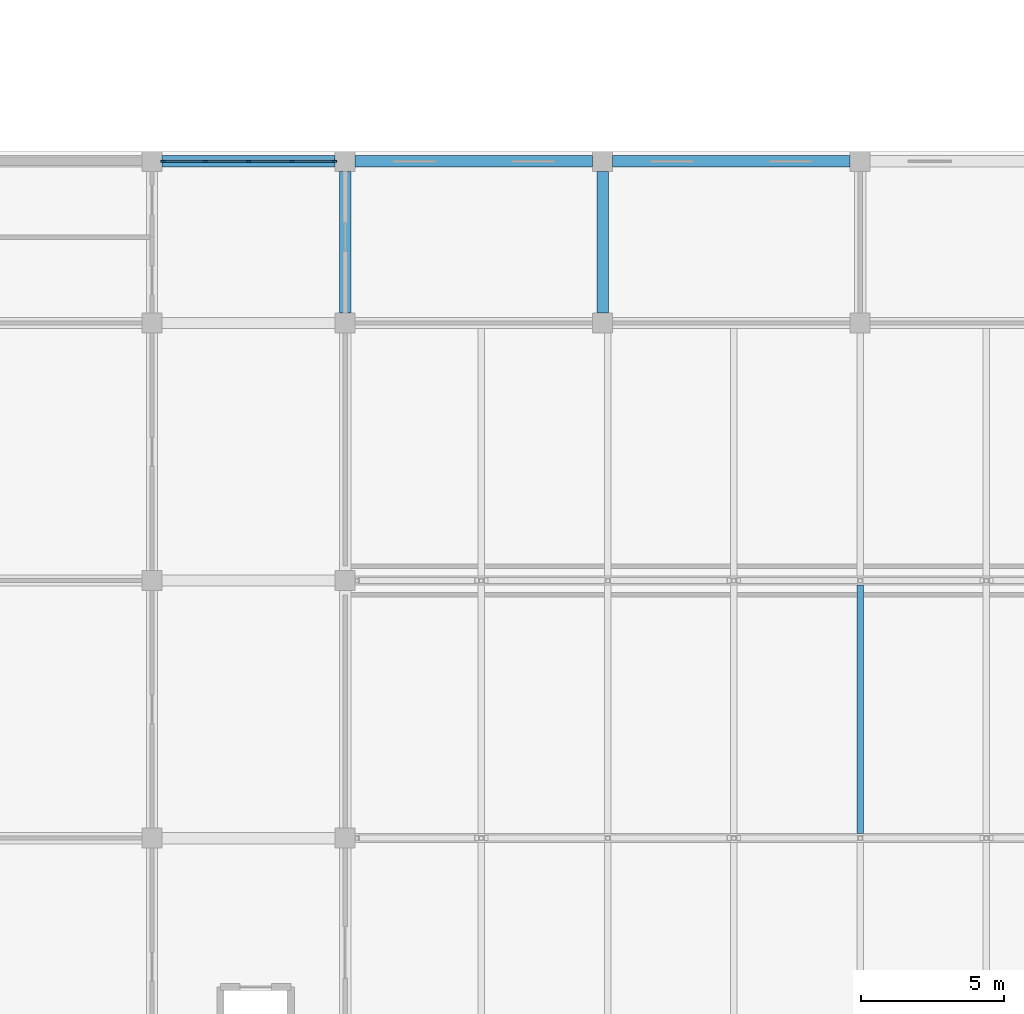
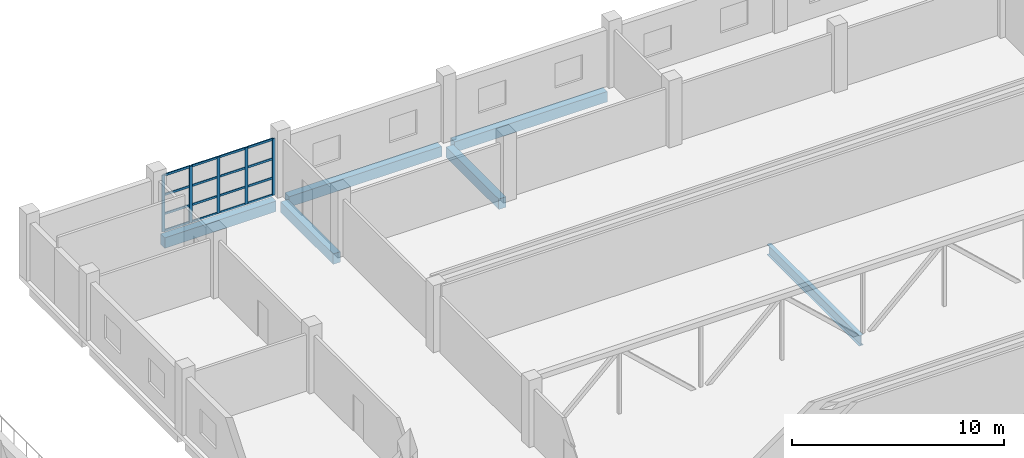
# One storey, part 16 of 42: 21 members, 6 beams, 1 element without a shape of its own.
"""IFC4 building model written with IfcOpenShell, lengths in metres."""

from ifc_helpers import new_model, si_unit, direction, frame, origin, origin_2d, place, context, subcontext, project, spatial, rectangle, i_section, extrude, material, layer, layer_set, material_profile, profile_set, type_object, element, aggregate, save


model = new_model("IFC4")

# Units and contexts
model_context = context("Model", 3, precision=1e-05, world=origin(), true_north=direction((0.0, 1.0)))
body_context = subcontext(model_context, "Body", "Model", "MODEL_VIEW")
ifc_project = project(units=[si_unit("LENGTHUNIT", "METRE"), si_unit("AREAUNIT", "SQUARE_METRE"), si_unit("VOLUMEUNIT", "CUBIC_METRE"), si_unit("PLANEANGLEUNIT", "RADIAN"), si_unit("MASSUNIT", "GRAM", prefix="KILO")], contexts=[model_context])

# Site, building, storey
site_placement = place(None, origin())
site = spatial("IfcSite", under=ifc_project, at=site_placement, CompositionType="ELEMENT")
building_placement = place(site_placement, origin())
building = spatial("IfcBuilding", under=site, at=building_placement, Name="Corbel Stack Research Tower", CompositionType="ELEMENT")
storey_placement = place(building_placement, frame((0.0, 0.0, 11.300048828125)))
storey = spatial("IfcBuildingStorey", under=building, at=storey_placement, Name="L02", CompositionType="ELEMENT", Elevation=11.300048828125)

# Curtain wall, members
ifc_material_1 = material(Name="Aluminium", Category="aluminium")
ifc_layer = layer(ifc_material_1, 0.14990234375)
ifc_layer_set = layer_set([ifc_layer], Name="Aluminium")
curtain_wall_type = type_object("IfcCurtainWallType", Name="CW5 main facade curtain wall", PredefinedType="NOTDEFINED", material=ifc_layer_set)
curtain_wall_placement = place(storey_placement, origin())
curtain_wall = element("IfcCurtainWall", 1, at=curtain_wall_placement, inside=storey, type_object=curtain_wall_type, Name="Main facade curtain wall L02 2", PredefinedType="NOTDEFINED")
ifc_material_2 = material(Name="Aluminium", Category="aluminium")
ifc_material_profile_1 = material_profile(ifc_material_2, rectangle(XDim=0.06005859375, YDim=0.159912109375, at=origin_2d()), Name="Mullion 60 x 160")
ifc_profile_set_1 = profile_set([ifc_material_profile_1], Name="Aluminium")
member_type_1 = type_object("IfcMemberType", Name="CW5 mullion 60 x 160", PredefinedType="MULLION", material=ifc_profile_set_1)
member_1_placement = place(storey_placement, frame((44.580078125, 23.64990234375, 0.0), z_axis=(0.0, 0.0, 1.0), x_axis=(0.0, 1.0, 0.0)))
member_1 = element("IfcMember", 2, at=member_1_placement, type_object=member_type_1, Name="CW5 mullion 1", PredefinedType="MULLION", context=body_context, shape_type="SweptSolid", body=[
    extrude(rectangle(XDim=0.06005859375, YDim=0.159912109375, at=origin_2d()), origin(), (0.0, 0.0, 1.0), 3.25),
])
member_2_placement = place(storey_placement, frame((46.0625, 23.64990234375, 0.0), z_axis=(0.0, 0.0, 1.0), x_axis=(0.0, 1.0, 0.0)))
member_2 = element("IfcMember", 3, at=member_2_placement, type_object=member_type_1, Name="CW5 mullion 2", PredefinedType="MULLION", context=body_context, shape_type="SweptSolid", body=[
    extrude(rectangle(XDim=0.06005859375, YDim=0.159912109375, at=origin_2d()), origin(), (0.0, 0.0, 1.0), 3.25),
])
member_3_placement = place(storey_placement, frame((47.574951171875, 23.64990234375, 0.0), z_axis=(0.0, 0.0, 1.0), x_axis=(0.0, 1.0, 0.0)))
member_3 = element("IfcMember", 4, at=member_3_placement, type_object=member_type_1, Name="CW5 mullion 3", PredefinedType="MULLION", context=body_context, shape_type="SweptSolid", body=[
    extrude(rectangle(XDim=0.06005859375, YDim=0.159912109375, at=origin_2d()), origin(), (0.0, 0.0, 1.0), 3.25),
])
member_4_placement = place(storey_placement, frame((49.08740234375, 23.64990234375, 0.0), z_axis=(0.0, 0.0, 1.0), x_axis=(0.0, 1.0, 0.0)))
member_4 = element("IfcMember", 5, at=member_4_placement, type_object=member_type_1, Name="CW5 mullion 4", PredefinedType="MULLION", context=body_context, shape_type="SweptSolid", body=[
    extrude(rectangle(XDim=0.06005859375, YDim=0.159912109375, at=origin_2d()), origin(), (0.0, 0.0, 1.0), 3.25),
])
member_5_placement = place(storey_placement, frame((50.570068359375, 23.64990234375, 0.0), z_axis=(0.0, 0.0, 1.0), x_axis=(0.0, 1.0, 0.0)))
member_5 = element("IfcMember", 6, at=member_5_placement, type_object=member_type_1, Name="CW5 mullion 5", PredefinedType="MULLION", context=body_context, shape_type="SweptSolid", body=[
    extrude(rectangle(XDim=0.06005859375, YDim=0.159912109375, at=origin_2d()), origin(), (0.0, 0.0, 1.0), 3.25),
])
ifc_material_3 = material(Name="Aluminium", Category="aluminium")
ifc_material_profile_2 = material_profile(ifc_material_3, rectangle(XDim=0.06005859375, YDim=0.1201171875, at=origin_2d()), Name="Transom 60 x 120")
ifc_profile_set_2 = profile_set([ifc_material_profile_2], Name="Aluminium")
member_type_2 = type_object("IfcMemberType", Name="CW5 transom 60 x 120", PredefinedType="USERDEFINED", material=ifc_profile_set_2)
member_6_placement = place(storey_placement, frame((44.610107421875, 23.64990234375, 0.030029296875), z_axis=(1.0, 0.0, 0.0), x_axis=(0.0, 1.0, 0.0)))
member_6 = element("IfcMember", 7, at=member_6_placement, type_object=member_type_2, Name="CW5 transom 1.1", ObjectType="TRANSOM", PredefinedType="USERDEFINED", context=body_context, shape_type="SweptSolid", body=[
    extrude(rectangle(XDim=0.06005859375, YDim=0.1201171875, at=origin_2d()), origin(), (0.0, 0.0, 1.0), 1.42236328125),
])
member_7_placement = place(storey_placement, frame((44.610107421875, 23.64990234375, 1.0), z_axis=(1.0, 0.0, 0.0), x_axis=(0.0, 1.0, 0.0)))
member_7 = element("IfcMember", 8, at=member_7_placement, type_object=member_type_2, Name="CW5 transom 1.2", ObjectType="TRANSOM", PredefinedType="USERDEFINED", context=body_context, shape_type="SweptSolid", body=[
    extrude(rectangle(XDim=0.06005859375, YDim=0.1201171875, at=origin_2d()), origin(), (0.0, 0.0, 1.0), 1.42236328125),
])
member_8_placement = place(storey_placement, frame((44.610107421875, 23.64990234375, 2.099853515625), z_axis=(1.0, 0.0, 0.0), x_axis=(0.0, 1.0, 0.0)))
member_8 = element("IfcMember", 9, at=member_8_placement, type_object=member_type_2, Name="CW5 transom 1.3", ObjectType="TRANSOM", PredefinedType="USERDEFINED", context=body_context, shape_type="SweptSolid", body=[
    extrude(rectangle(XDim=0.06005859375, YDim=0.1201171875, at=origin_2d()), origin(), (0.0, 0.0, 1.0), 1.42236328125),
])
member_9_placement = place(storey_placement, frame((44.610107421875, 23.64990234375, 3.219970703125), z_axis=(1.0, 0.0, 0.0), x_axis=(0.0, 1.0, 0.0)))
member_9 = element("IfcMember", 10, at=member_9_placement, type_object=member_type_2, Name="CW5 transom 1.4", ObjectType="TRANSOM", PredefinedType="USERDEFINED", context=body_context, shape_type="SweptSolid", body=[
    extrude(rectangle(XDim=0.06005859375, YDim=0.1201171875, at=origin_2d()), origin(), (0.0, 0.0, 1.0), 1.42236328125),
])
member_10_placement = place(storey_placement, frame((46.092529296875, 23.64990234375, 0.030029296875), z_axis=(1.0, 0.0, 0.0), x_axis=(0.0, 1.0, 0.0)))
member_10 = element("IfcMember", 11, at=member_10_placement, type_object=member_type_2, Name="CW5 transom 2.1", ObjectType="TRANSOM", PredefinedType="USERDEFINED", context=body_context, shape_type="SweptSolid", body=[
    extrude(rectangle(XDim=0.06005859375, YDim=0.1201171875, at=origin_2d()), origin(), (0.0, 0.0, 1.0), 1.452392578125),
])
member_11_placement = place(storey_placement, frame((46.092529296875, 23.64990234375, 1.0), z_axis=(1.0, 0.0, 0.0), x_axis=(0.0, 1.0, 0.0)))
member_11 = element("IfcMember", 12, at=member_11_placement, type_object=member_type_2, Name="CW5 transom 2.2", ObjectType="TRANSOM", PredefinedType="USERDEFINED", context=body_context, shape_type="SweptSolid", body=[
    extrude(rectangle(XDim=0.06005859375, YDim=0.1201171875, at=origin_2d()), origin(), (0.0, 0.0, 1.0), 1.452392578125),
])
member_12_placement = place(storey_placement, frame((46.092529296875, 23.64990234375, 2.099853515625), z_axis=(1.0, 0.0, 0.0), x_axis=(0.0, 1.0, 0.0)))
member_12 = element("IfcMember", 13, at=member_12_placement, type_object=member_type_2, Name="CW5 transom 2.3", ObjectType="TRANSOM", PredefinedType="USERDEFINED", context=body_context, shape_type="SweptSolid", body=[
    extrude(rectangle(XDim=0.06005859375, YDim=0.1201171875, at=origin_2d()), origin(), (0.0, 0.0, 1.0), 1.452392578125),
])
member_13_placement = place(storey_placement, frame((46.092529296875, 23.64990234375, 3.219970703125), z_axis=(1.0, 0.0, 0.0), x_axis=(0.0, 1.0, 0.0)))
member_13 = element("IfcMember", 14, at=member_13_placement, type_object=member_type_2, Name="CW5 transom 2.4", ObjectType="TRANSOM", PredefinedType="USERDEFINED", context=body_context, shape_type="SweptSolid", body=[
    extrude(rectangle(XDim=0.06005859375, YDim=0.1201171875, at=origin_2d()), origin(), (0.0, 0.0, 1.0), 1.452392578125),
])
member_14_placement = place(storey_placement, frame((47.60498046875, 23.64990234375, 0.030029296875), z_axis=(1.0, 0.0, 0.0), x_axis=(0.0, 1.0, 0.0)))
member_14 = element("IfcMember", 15, at=member_14_placement, type_object=member_type_2, Name="CW5 transom 3.1", ObjectType="TRANSOM", PredefinedType="USERDEFINED", context=body_context, shape_type="SweptSolid", body=[
    extrude(rectangle(XDim=0.06005859375, YDim=0.1201171875, at=origin_2d()), origin(), (0.0, 0.0, 1.0), 1.45263671875),
])
member_15_placement = place(storey_placement, frame((47.60498046875, 23.64990234375, 1.0), z_axis=(1.0, 0.0, 0.0), x_axis=(0.0, 1.0, 0.0)))
member_15 = element("IfcMember", 16, at=member_15_placement, type_object=member_type_2, Name="CW5 transom 3.2", ObjectType="TRANSOM", PredefinedType="USERDEFINED", context=body_context, shape_type="SweptSolid", body=[
    extrude(rectangle(XDim=0.06005859375, YDim=0.1201171875, at=origin_2d()), origin(), (0.0, 0.0, 1.0), 1.45263671875),
])
member_16_placement = place(storey_placement, frame((47.60498046875, 23.64990234375, 2.099853515625), z_axis=(1.0, 0.0, 0.0), x_axis=(0.0, 1.0, 0.0)))
member_16 = element("IfcMember", 17, at=member_16_placement, type_object=member_type_2, Name="CW5 transom 3.3", ObjectType="TRANSOM", PredefinedType="USERDEFINED", context=body_context, shape_type="SweptSolid", body=[
    extrude(rectangle(XDim=0.06005859375, YDim=0.1201171875, at=origin_2d()), origin(), (0.0, 0.0, 1.0), 1.45263671875),
])
member_17_placement = place(storey_placement, frame((47.60498046875, 23.64990234375, 3.219970703125), z_axis=(1.0, 0.0, 0.0), x_axis=(0.0, 1.0, 0.0)))
member_17 = element("IfcMember", 18, at=member_17_placement, type_object=member_type_2, Name="CW5 transom 3.4", ObjectType="TRANSOM", PredefinedType="USERDEFINED", context=body_context, shape_type="SweptSolid", body=[
    extrude(rectangle(XDim=0.06005859375, YDim=0.1201171875, at=origin_2d()), origin(), (0.0, 0.0, 1.0), 1.45263671875),
])
member_18_placement = place(storey_placement, frame((49.117431640625, 23.64990234375, 0.030029296875), z_axis=(1.0, 0.0, 0.0), x_axis=(0.0, 1.0, 0.0)))
member_18 = element("IfcMember", 19, at=member_18_placement, type_object=member_type_2, Name="CW5 transom 4.1", ObjectType="TRANSOM", PredefinedType="USERDEFINED", context=body_context, shape_type="SweptSolid", body=[
    extrude(rectangle(XDim=0.06005859375, YDim=0.1201171875, at=origin_2d()), origin(), (0.0, 0.0, 1.0), 1.422607421875),
])
member_19_placement = place(storey_placement, frame((49.117431640625, 23.64990234375, 1.0), z_axis=(1.0, 0.0, 0.0), x_axis=(0.0, 1.0, 0.0)))
member_19 = element("IfcMember", 20, at=member_19_placement, type_object=member_type_2, Name="CW5 transom 4.2", ObjectType="TRANSOM", PredefinedType="USERDEFINED", context=body_context, shape_type="SweptSolid", body=[
    extrude(rectangle(XDim=0.06005859375, YDim=0.1201171875, at=origin_2d()), origin(), (0.0, 0.0, 1.0), 1.422607421875),
])
member_20_placement = place(storey_placement, frame((49.117431640625, 23.64990234375, 2.099853515625), z_axis=(1.0, 0.0, 0.0), x_axis=(0.0, 1.0, 0.0)))
member_20 = element("IfcMember", 21, at=member_20_placement, type_object=member_type_2, Name="CW5 transom 4.3", ObjectType="TRANSOM", PredefinedType="USERDEFINED", context=body_context, shape_type="SweptSolid", body=[
    extrude(rectangle(XDim=0.06005859375, YDim=0.1201171875, at=origin_2d()), origin(), (0.0, 0.0, 1.0), 1.422607421875),
])
member_21_placement = place(storey_placement, frame((49.117431640625, 23.64990234375, 3.219970703125), z_axis=(1.0, 0.0, 0.0), x_axis=(0.0, 1.0, 0.0)))
member_21 = element("IfcMember", 22, at=member_21_placement, type_object=member_type_2, Name="CW5 transom 4.4", ObjectType="TRANSOM", PredefinedType="USERDEFINED", context=body_context, shape_type="SweptSolid", body=[
    extrude(rectangle(XDim=0.06005859375, YDim=0.1201171875, at=origin_2d()), origin(), (0.0, 0.0, 1.0), 1.422607421875),
])
aggregate(curtain_wall, [member_1, member_2, member_3, member_4, member_5, member_6, member_7, member_8, member_9, member_10, member_11, member_12, member_13, member_14, member_15, member_16, member_17, member_18, member_19, member_20, member_21])

# Beams
ifc_material_4 = material(Name="Concrete C40/50", Category="concrete")
ifc_material_profile_3 = material_profile(ifc_material_4, rectangle(XDim=0.39990234375, YDim=0.60009765625, at=origin_2d()), Name="RC 400 x 600")
ifc_profile_set_3 = profile_set([ifc_material_profile_3], Name="Concrete C40/50")
beam_type_1 = type_object("IfcBeamType", Name="HB1 RC beam 400 x 600", PredefinedType="BEAM", material=ifc_profile_set_3)
beam_1_placement = place(storey_placement, frame((44.550048828125, 23.64990234375, -0.550048828125), z_axis=(1.0, 0.0, 0.0), x_axis=(0.0, 1.0, 0.0)))
element("IfcBeam", 23, at=beam_1_placement, inside=storey, type_object=beam_type_1, Name="Floor beam L02 H2HG-H3HG", PredefinedType="BEAM", context=body_context, shape_type="SweptSolid", body=[
    extrude(rectangle(XDim=0.39990234375, YDim=0.60009765625, at=origin_2d()), origin(), (0.0, 0.0, 1.0), 6.050048828125),
])
beam_2_placement = place(storey_placement, frame((50.949951171875, 18.35009765625, -0.550048828125), z_axis=(0.0, 1.0, 0.0), x_axis=(-1.0, 0.0, 0.0)))
element("IfcBeam", 24, at=beam_2_placement, inside=storey, type_object=beam_type_1, Name="Floor beam L02 H3HF-H3HG", PredefinedType="BEAM", context=body_context, shape_type="SweptSolid", body=[
    extrude(rectangle(XDim=0.39990234375, YDim=0.60009765625, at=origin_2d()), origin(), (0.0, 0.0, 1.0), 4.949951171875),
])
beam_3_placement = place(storey_placement, frame((51.300048828125, 23.64990234375, -0.550048828125), z_axis=(1.0, 0.0, 0.0), x_axis=(0.0, 1.0, 0.0)))
element("IfcBeam", 25, at=beam_3_placement, inside=storey, type_object=beam_type_1, Name="Floor beam L02 H3HG-H4HG", PredefinedType="BEAM", context=body_context, shape_type="SweptSolid", body=[
    extrude(rectangle(XDim=0.39990234375, YDim=0.60009765625, at=origin_2d()), origin(), (0.0, 0.0, 1.0), 8.300048828125),
])
beam_4_placement = place(storey_placement, frame((59.949951171875, 18.35009765625, -0.550048828125), z_axis=(0.0, 1.0, 0.0), x_axis=(-1.0, 0.0, 0.0)))
element("IfcBeam", 26, at=beam_4_placement, inside=storey, type_object=beam_type_1, Name="Floor beam L02 H4HF-H4HG", PredefinedType="BEAM", context=body_context, shape_type="SweptSolid", body=[
    extrude(rectangle(XDim=0.39990234375, YDim=0.60009765625, at=origin_2d()), origin(), (0.0, 0.0, 1.0), 4.949951171875),
])
beam_5_placement = place(storey_placement, frame((60.300048828125, 23.64990234375, -0.550048828125), z_axis=(1.0, 0.0, 0.0), x_axis=(0.0, 1.0, 0.0)))
element("IfcBeam", 27, at=beam_5_placement, inside=storey, type_object=beam_type_1, Name="Floor beam L02 H4HG-H5HG", PredefinedType="BEAM", context=body_context, shape_type="SweptSolid", body=[
    extrude(rectangle(XDim=0.39990234375, YDim=0.60009765625, at=origin_2d()), origin(), (0.0, 0.0, 1.0), 8.300048828125),
])
ifc_material_5 = material(Name="Steel S355", Category="steel")
ifc_material_profile_4 = material_profile(ifc_material_5, i_section(OverallWidth=0.22802734375, OverallDepth=0.60302734375, WebThickness=0.010986328125, FlangeThickness=0.014892578125, at=origin_2d()), Name="W24x68")
ifc_profile_set_4 = profile_set([ifc_material_profile_4], Name="Steel S355")
beam_type_2 = type_object("IfcBeamType", Name="HB2 steel beam W24x68", PredefinedType="BEAM", material=ifc_profile_set_4)
beam_6_placement = place(storey_placement, frame((68.949951171875, 0.152587890625, -0.551513671875), z_axis=(0.0, 1.0, 0.0), x_axis=(-1.0, 0.0, 0.0)))
element("IfcBeam", 28, at=beam_6_placement, inside=storey, type_object=beam_type_2, Name="Steel floor beam L02 bay 3 line 4", PredefinedType="BEAM", context=body_context, shape_type="SweptSolid", body=[
    extrude(i_section(OverallWidth=0.22802734375, OverallDepth=0.60302734375, WebThickness=0.010986328125, FlangeThickness=0.014892578125, at=origin_2d()), origin(), (0.0, 0.0, 1.0), 8.69482421875),
])

save(model, "model.ifc")
